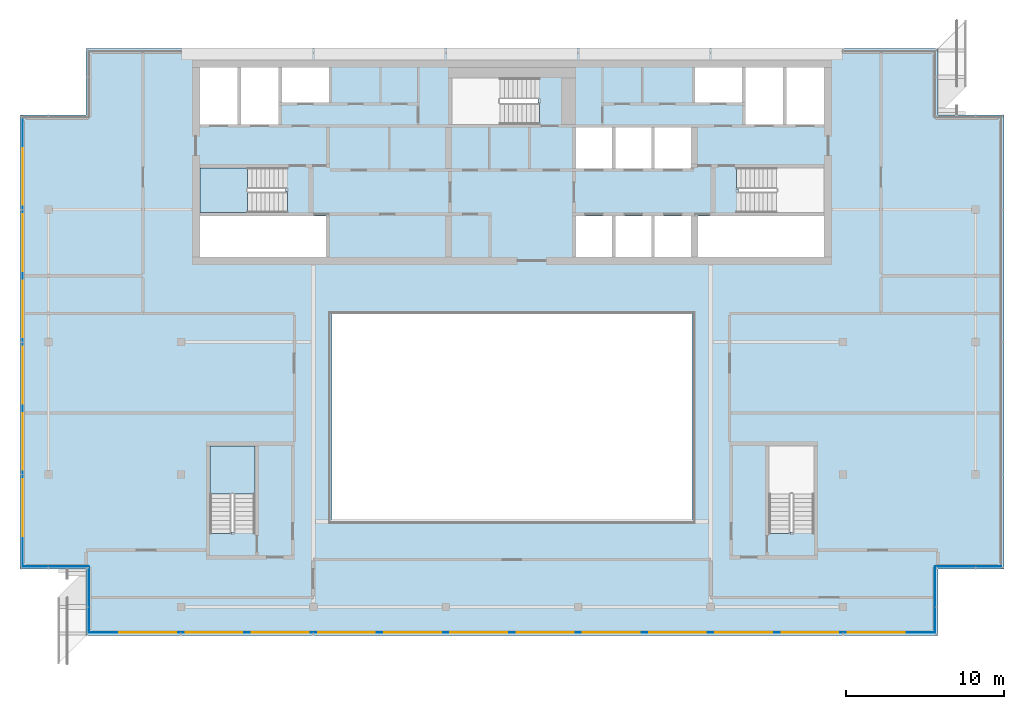
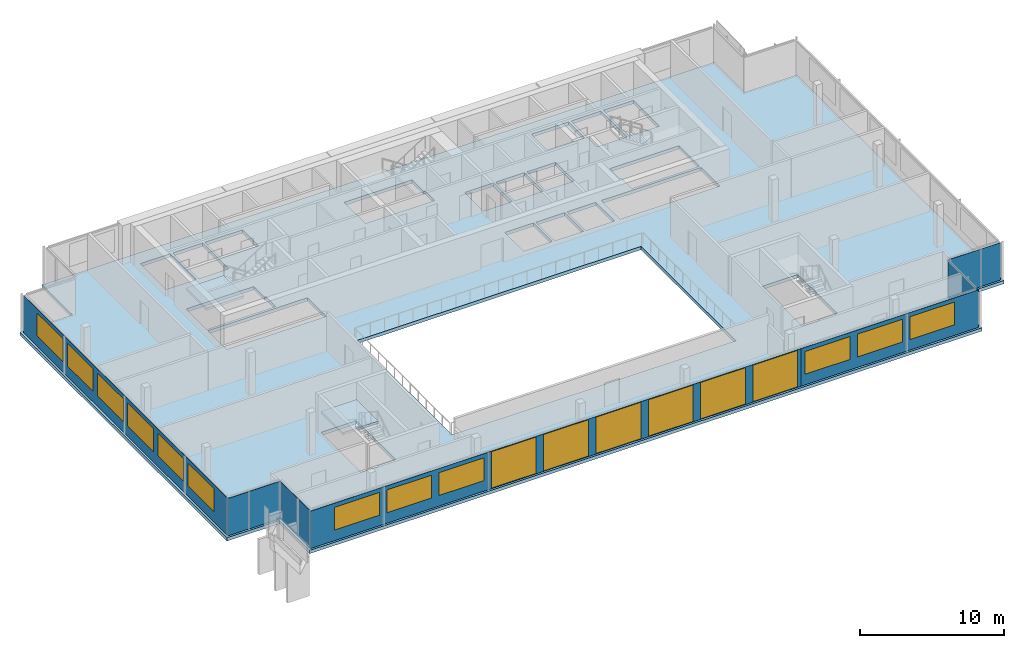
# One storey, part 10 of 19: 18 windows, 8 plates, 3 slabs, 18 openings, 8 elements without a shape of their own.
"""IFC4 building model written with IfcOpenShell, lengths in metres."""

from ifc_helpers import new_model, si_unit, direction, frame, frame_2d, origin, place, context, subcontext, project, spatial, polyline, rectangle, outline, extrude, material, layer, layer_set, type_object, element, fill, aggregate, save


model = new_model("IFC4")

# Units and contexts
model_context = context("Model", 3, precision=1e-05, world=origin(), true_north=direction((0.0, 1.0)))
body_context = subcontext(model_context, "Body", "Model", "MODEL_VIEW")
ifc_project = project(units=[si_unit("LENGTHUNIT", "METRE"), si_unit("AREAUNIT", "SQUARE_METRE"), si_unit("VOLUMEUNIT", "CUBIC_METRE"), si_unit("PLANEANGLEUNIT", "RADIAN"), si_unit("MASSUNIT", "GRAM", prefix="KILO")], contexts=[model_context])

# Site, building, storey
site_placement = place(None, origin())
site = spatial("IfcSite", under=ifc_project, at=site_placement, CompositionType="ELEMENT")
building_placement = place(site_placement, origin())
building = spatial("IfcBuilding", under=site, at=building_placement, Name="Saffron Gate Tower", CompositionType="ELEMENT")
storey_placement = place(building_placement, frame((0.0, 0.0, 306.75)))
storey = spatial("IfcBuildingStorey", under=building, at=storey_placement, Name="L75", CompositionType="ELEMENT", Elevation=306.75)

# Curtain wall, plates, openings, windows
ifc_material_1 = material(Name="Aluminium, bronze anodised", Category="aluminium")
curtain_wall_type_1 = type_object("IfcCurtainWallType", Name="CWS1 curtain wall front facade", PredefinedType="NOTDEFINED", material=ifc_material_1)
curtain_wall_1_placement = place(storey_placement, origin())
curtain_wall_1 = element("IfcCurtainWall", 1, at=curtain_wall_1_placement, inside=storey, type_object=curtain_wall_type_1, Name="CWS1 run 1", PredefinedType="NOTDEFINED")
ifc_material_2 = material(Name="Clear low-iron laminated glass", Category="glass")
ifc_layer_1 = layer(ifc_material_2, 0.028076171875)
ifc_layer_set_1 = layer_set([ifc_layer_1], Name="CWS1 clear glass")
plate_type_1 = type_object("IfcPlateType", Name="CWS1 clear glass", PredefinedType="CURTAIN_PANEL", material=ifc_layer_set_1)
plate_1_placement = place(storey_placement, frame((75.030029296875, 38.573974609375, 0.0), z_axis=(0.0, 0.0, 1.0), x_axis=(1.0, 0.0, 0.0)))
plate_1 = element("IfcPlate", 2, at=plate_1_placement, type_object=plate_type_1, Name="CWS1 clear glass panel", PredefinedType="CURTAIN_PANEL", context=body_context, shape_type="SweptSolid", body=[
    extrude(rectangle(XDim=25.139892578125, YDim=0.028076171875, at=frame_2d((12.56982421875, 0.0))), origin(), (0.0, 0.0, 1.0), 3.179931640625),
])
opening_1_placement = place(plate_1_placement, frame((0.27001953125, 0.0, 0.050048828125)))
opening_1 = element("IfcOpeningElement", 3, at=opening_1_placement, cuts=plate_1, Name="Opening WA", PredefinedType="OPENING", context=body_context, shape_type="SweptSolid", body=[
    extrude(rectangle(XDim=3.60009765625, YDim=3.080078125, at=frame_2d((1.800048828125, 1.5400390625))), frame((0.0, 0.02392578125, 0.0), z_axis=(0.0, -1.0, 0.0), x_axis=(1.0, 0.0, 0.0)), (0.0, 0.0, 1.0), 0.048095703125),
])
opening_2_placement = place(plate_1_placement, frame((4.469970703125, 0.0, 0.050048828125)))
opening_2 = element("IfcOpeningElement", 4, at=opening_2_placement, cuts=plate_1, Name="Opening WA", PredefinedType="OPENING", context=body_context, shape_type="SweptSolid", body=[
    extrude(rectangle(XDim=3.60009765625, YDim=3.080078125, at=frame_2d((1.800048828125, 1.5400390625))), frame((0.0, 0.02392578125, 0.0), z_axis=(0.0, -1.0, 0.0), x_axis=(1.0, 0.0, 0.0)), (0.0, 0.0, 1.0), 0.048095703125),
])
opening_3_placement = place(plate_1_placement, frame((8.669921875, 0.0, 0.050048828125)))
opening_3 = element("IfcOpeningElement", 5, at=opening_3_placement, cuts=plate_1, Name="Opening WA", PredefinedType="OPENING", context=body_context, shape_type="SweptSolid", body=[
    extrude(rectangle(XDim=3.60009765625, YDim=3.080078125, at=frame_2d((1.800048828125, 1.5400390625))), frame((0.0, 0.02392578125, 0.0), z_axis=(0.0, -1.0, 0.0), x_axis=(1.0, 0.0, 0.0)), (0.0, 0.0, 1.0), 0.048095703125),
])
opening_4_placement = place(plate_1_placement, frame((12.8701171875, 0.0, 0.050048828125)))
opening_4 = element("IfcOpeningElement", 6, at=opening_4_placement, cuts=plate_1, Name="Opening WA", PredefinedType="OPENING", context=body_context, shape_type="SweptSolid", body=[
    extrude(rectangle(XDim=3.60009765625, YDim=3.080078125, at=frame_2d((1.800048828125, 1.5400390625))), frame((0.0, 0.02392578125, 0.0), z_axis=(0.0, -1.0, 0.0), x_axis=(1.0, 0.0, 0.0)), (0.0, 0.0, 1.0), 0.048095703125),
])
opening_5_placement = place(plate_1_placement, frame((17.070068359375, 0.0, 0.050048828125)))
opening_5 = element("IfcOpeningElement", 7, at=opening_5_placement, cuts=plate_1, Name="Opening WA", PredefinedType="OPENING", context=body_context, shape_type="SweptSolid", body=[
    extrude(rectangle(XDim=3.60009765625, YDim=3.080078125, at=frame_2d((1.800048828125, 1.5400390625))), frame((0.0, 0.02392578125, 0.0), z_axis=(0.0, -1.0, 0.0), x_axis=(1.0, 0.0, 0.0)), (0.0, 0.0, 1.0), 0.048095703125),
])
opening_6_placement = place(plate_1_placement, frame((21.27001953125, 0.0, 0.050048828125)))
opening_6 = element("IfcOpeningElement", 8, at=opening_6_placement, cuts=plate_1, Name="Opening WA", PredefinedType="OPENING", context=body_context, shape_type="SweptSolid", body=[
    extrude(rectangle(XDim=3.60009765625, YDim=3.080078125, at=frame_2d((1.800048828125, 1.5400390625))), frame((0.0, 0.02392578125, 0.0), z_axis=(0.0, -1.0, 0.0), x_axis=(1.0, 0.0, 0.0)), (0.0, 0.0, 1.0), 0.048095703125),
])
ifc_material_3 = material(Name="Clear low-iron laminated glass in bronze frame", Category="glass")
ifc_layer_2 = layer(ifc_material_3, 0.06005859375)
ifc_layer_set_2 = layer_set([ifc_layer_2], Name="WA operable atrium unit 3600x3080")
window_type_1 = type_object("IfcWindowType", Name="WA operable atrium unit 3600x3080", PartitioningType="DOUBLE_PANEL_HORIZONTAL", PredefinedType="WINDOW", material=ifc_layer_set_2)
window_1_placement = place(opening_1_placement, origin())
window_1 = element("IfcWindow", 9, at=window_1_placement, type_object=window_type_1, Name="WA operable atrium unit", OverallHeight=3.080078125, OverallWidth=3.60009765625, PartitioningType="SINGLE_PANEL", PredefinedType="WINDOW", context=body_context, shape_type="SweptSolid", body=[
    extrude(rectangle(XDim=3.60009765625, YDim=3.080078125, at=frame_2d((1.800048828125, 1.5400390625))), frame((0.0, 0.013671875, 0.0), z_axis=(0.0, -1.0, 0.0), x_axis=(1.0, 0.0, 0.0)), (0.0, 0.0, 1.0), 0.027587890625),
])
fill(opening_1, window_1)
window_2_placement = place(opening_2_placement, origin())
window_2 = element("IfcWindow", 10, at=window_2_placement, type_object=window_type_1, Name="WA operable atrium unit", OverallHeight=3.080078125, OverallWidth=3.60009765625, PartitioningType="SINGLE_PANEL", PredefinedType="WINDOW", context=body_context, shape_type="SweptSolid", body=[
    extrude(rectangle(XDim=3.60009765625, YDim=3.080078125, at=frame_2d((1.800048828125, 1.5400390625))), frame((0.0, 0.013671875, 0.0), z_axis=(0.0, -1.0, 0.0), x_axis=(1.0, 0.0, 0.0)), (0.0, 0.0, 1.0), 0.027587890625),
])
fill(opening_2, window_2)
window_3_placement = place(opening_3_placement, origin())
window_3 = element("IfcWindow", 11, at=window_3_placement, type_object=window_type_1, Name="WA operable atrium unit", OverallHeight=3.080078125, OverallWidth=3.60009765625, PartitioningType="SINGLE_PANEL", PredefinedType="WINDOW", context=body_context, shape_type="SweptSolid", body=[
    extrude(rectangle(XDim=3.60009765625, YDim=3.080078125, at=frame_2d((1.800048828125, 1.5400390625))), frame((0.0, 0.013671875, 0.0), z_axis=(0.0, -1.0, 0.0), x_axis=(1.0, 0.0, 0.0)), (0.0, 0.0, 1.0), 0.027587890625),
])
fill(opening_3, window_3)
window_4_placement = place(opening_4_placement, origin())
window_4 = element("IfcWindow", 12, at=window_4_placement, type_object=window_type_1, Name="WA operable atrium unit", OverallHeight=3.080078125, OverallWidth=3.60009765625, PartitioningType="SINGLE_PANEL", PredefinedType="WINDOW", context=body_context, shape_type="SweptSolid", body=[
    extrude(rectangle(XDim=3.60009765625, YDim=3.080078125, at=frame_2d((1.800048828125, 1.5400390625))), frame((0.0, 0.013671875, 0.0), z_axis=(0.0, -1.0, 0.0), x_axis=(1.0, 0.0, 0.0)), (0.0, 0.0, 1.0), 0.027587890625),
])
fill(opening_4, window_4)
window_5_placement = place(opening_5_placement, origin())
window_5 = element("IfcWindow", 13, at=window_5_placement, type_object=window_type_1, Name="WA operable atrium unit", OverallHeight=3.080078125, OverallWidth=3.60009765625, PartitioningType="SINGLE_PANEL", PredefinedType="WINDOW", context=body_context, shape_type="SweptSolid", body=[
    extrude(rectangle(XDim=3.60009765625, YDim=3.080078125, at=frame_2d((1.800048828125, 1.5400390625))), frame((0.0, 0.013671875, 0.0), z_axis=(0.0, -1.0, 0.0), x_axis=(1.0, 0.0, 0.0)), (0.0, 0.0, 1.0), 0.027587890625),
])
fill(opening_5, window_5)
window_6_placement = place(opening_6_placement, origin())
window_6 = element("IfcWindow", 14, at=window_6_placement, type_object=window_type_1, Name="WA operable atrium unit", OverallHeight=3.080078125, OverallWidth=3.60009765625, PartitioningType="SINGLE_PANEL", PredefinedType="WINDOW", context=body_context, shape_type="SweptSolid", body=[
    extrude(rectangle(XDim=3.60009765625, YDim=3.080078125, at=frame_2d((1.800048828125, 1.5400390625))), frame((0.0, 0.013671875, 0.0), z_axis=(0.0, -1.0, 0.0), x_axis=(1.0, 0.0, 0.0)), (0.0, 0.0, 1.0), 0.027587890625),
])
fill(opening_6, window_6)
ifc_material_4 = material(Name="Fritted bronze-tinted laminated glass", Category="glass")
ifc_layer_3 = layer(ifc_material_4, 0.028076171875)
ifc_layer_set_3 = layer_set([ifc_layer_3], Name="CWS1 fixed glass")
plate_type_2 = type_object("IfcPlateType", Name="CWS1 fixed glass", PredefinedType="CURTAIN_PANEL", material=ifc_layer_set_3)
plate_2_placement = place(storey_placement, frame((60.7880859375, 38.573974609375, 0.0), z_axis=(0.0, 0.0, 1.0), x_axis=(1.0, 0.0, 0.0)))
plate_2 = element("IfcPlate", 15, at=plate_2_placement, type_object=plate_type_2, Name="CWS1 glass panel", PredefinedType="CURTAIN_PANEL", context=body_context, shape_type="SweptSolid", body=[
    extrude(rectangle(XDim=14.241943359375, YDim=0.028076171875, at=frame_2d((7.12109375, 0.0))), origin(), (0.0, 0.0, 1.0), 3.179931640625),
])
opening_7_placement = place(plate_2_placement, frame((1.912109375, 0.0, 0.89990234375)))
opening_7 = element("IfcOpeningElement", 16, at=opening_7_placement, cuts=plate_2, Name="Opening W2", PredefinedType="OPENING", context=body_context, shape_type="SweptSolid", body=[
    extrude(rectangle(XDim=3.60009765625, YDim=1.929931640625, at=frame_2d((1.800048828125, 0.96484375))), frame((0.0, 0.02392578125, 0.0), z_axis=(0.0, -1.0, 0.0), x_axis=(1.0, 0.0, 0.0)), (0.0, 0.0, 1.0), 0.048095703125),
])
opening_8_placement = place(plate_2_placement, frame((6.112060546875, 0.0, 0.89990234375)))
opening_8 = element("IfcOpeningElement", 17, at=opening_8_placement, cuts=plate_2, Name="Opening W2", PredefinedType="OPENING", context=body_context, shape_type="SweptSolid", body=[
    extrude(rectangle(XDim=3.60009765625, YDim=1.929931640625, at=frame_2d((1.800048828125, 0.96484375))), frame((0.0, 0.02392578125, 0.0), z_axis=(0.0, -1.0, 0.0), x_axis=(1.0, 0.0, 0.0)), (0.0, 0.0, 1.0), 0.048095703125),
])
opening_9_placement = place(plate_2_placement, frame((10.31201171875, 0.0, 0.89990234375)))
opening_9 = element("IfcOpeningElement", 18, at=opening_9_placement, cuts=plate_2, Name="Opening W2", PredefinedType="OPENING", context=body_context, shape_type="SweptSolid", body=[
    extrude(rectangle(XDim=3.60009765625, YDim=1.929931640625, at=frame_2d((1.800048828125, 0.96484375))), frame((0.0, 0.02392578125, 0.0), z_axis=(0.0, -1.0, 0.0), x_axis=(1.0, 0.0, 0.0)), (0.0, 0.0, 1.0), 0.048095703125),
])
ifc_material_5 = material(Name="Fritted bronze-tinted laminated glass in bronze frame", Category="glass")
ifc_layer_4 = layer(ifc_material_5, 0.06005859375)
ifc_layer_set_4 = layer_set([ifc_layer_4], Name="W2 operable panel 3600x1930")
window_type_2 = type_object("IfcWindowType", Name="W2 operable panel 3600x1930", PartitioningType="DOUBLE_PANEL_HORIZONTAL", PredefinedType="WINDOW", material=ifc_layer_set_4)
window_7_placement = place(opening_7_placement, origin())
window_7 = element("IfcWindow", 19, at=window_7_placement, type_object=window_type_2, Name="W2 operable panel", OverallHeight=1.929931640625, OverallWidth=3.60009765625, PartitioningType="SINGLE_PANEL", PredefinedType="WINDOW", context=body_context, shape_type="SweptSolid", body=[
    extrude(rectangle(XDim=3.60009765625, YDim=1.929931640625, at=frame_2d((1.800048828125, 0.96484375))), frame((0.0, 0.013671875, 0.0), z_axis=(0.0, -1.0, 0.0), x_axis=(1.0, 0.0, 0.0)), (0.0, 0.0, 1.0), 0.027587890625),
])
fill(opening_7, window_7)
window_8_placement = place(opening_8_placement, origin())
window_8 = element("IfcWindow", 20, at=window_8_placement, type_object=window_type_2, Name="W2 operable panel", OverallHeight=1.929931640625, OverallWidth=3.60009765625, PartitioningType="SINGLE_PANEL", PredefinedType="WINDOW", context=body_context, shape_type="SweptSolid", body=[
    extrude(rectangle(XDim=3.60009765625, YDim=1.929931640625, at=frame_2d((1.800048828125, 0.96484375))), frame((0.0, 0.013671875, 0.0), z_axis=(0.0, -1.0, 0.0), x_axis=(1.0, 0.0, 0.0)), (0.0, 0.0, 1.0), 0.027587890625),
])
fill(opening_8, window_8)
window_9_placement = place(opening_9_placement, origin())
window_9 = element("IfcWindow", 21, at=window_9_placement, type_object=window_type_2, Name="W2 operable panel", OverallHeight=1.929931640625, OverallWidth=3.60009765625, PartitioningType="SINGLE_PANEL", PredefinedType="WINDOW", context=body_context, shape_type="SweptSolid", body=[
    extrude(rectangle(XDim=3.60009765625, YDim=1.929931640625, at=frame_2d((1.800048828125, 0.96484375))), frame((0.0, 0.013671875, 0.0), z_axis=(0.0, -1.0, 0.0), x_axis=(1.0, 0.0, 0.0)), (0.0, 0.0, 1.0), 0.027587890625),
])
fill(opening_9, window_9)
plate_3_placement = place(storey_placement, frame((100.169921875, 38.573974609375, 0.0), z_axis=(0.0, 0.0, 1.0), x_axis=(1.0, 0.0, 0.0)))
plate_3 = element("IfcPlate", 22, at=plate_3_placement, type_object=plate_type_2, Name="CWS1 glass panel", PredefinedType="CURTAIN_PANEL", context=body_context, shape_type="SweptSolid", body=[
    extrude(rectangle(XDim=14.2421875, YDim=0.028076171875, at=frame_2d((7.12109375, 0.0))), origin(), (0.0, 0.0, 1.0), 3.179931640625),
])
opening_10_placement = place(plate_3_placement, frame((0.330078125, 0.0, 0.89990234375)))
opening_10 = element("IfcOpeningElement", 23, at=opening_10_placement, cuts=plate_3, Name="Opening W2", PredefinedType="OPENING", context=body_context, shape_type="SweptSolid", body=[
    extrude(rectangle(XDim=3.60009765625, YDim=1.929931640625, at=frame_2d((1.800048828125, 0.96484375))), frame((0.0, 0.02392578125, 0.0), z_axis=(0.0, -1.0, 0.0), x_axis=(1.0, 0.0, 0.0)), (0.0, 0.0, 1.0), 0.048095703125),
])
opening_11_placement = place(plate_3_placement, frame((4.530029296875, 0.0, 0.89990234375)))
opening_11 = element("IfcOpeningElement", 24, at=opening_11_placement, cuts=plate_3, Name="Opening W2", PredefinedType="OPENING", context=body_context, shape_type="SweptSolid", body=[
    extrude(rectangle(XDim=3.60009765625, YDim=1.929931640625, at=frame_2d((1.800048828125, 0.96484375))), frame((0.0, 0.02392578125, 0.0), z_axis=(0.0, -1.0, 0.0), x_axis=(1.0, 0.0, 0.0)), (0.0, 0.0, 1.0), 0.048095703125),
])
opening_12_placement = place(plate_3_placement, frame((8.72998046875, 0.0, 0.89990234375)))
opening_12 = element("IfcOpeningElement", 25, at=opening_12_placement, cuts=plate_3, Name="Opening W2", PredefinedType="OPENING", context=body_context, shape_type="SweptSolid", body=[
    extrude(rectangle(XDim=3.60009765625, YDim=1.929931640625, at=frame_2d((1.800048828125, 0.96484375))), frame((0.0, 0.02392578125, 0.0), z_axis=(0.0, -1.0, 0.0), x_axis=(1.0, 0.0, 0.0)), (0.0, 0.0, 1.0), 0.048095703125),
])
window_10_placement = place(opening_10_placement, origin())
window_10 = element("IfcWindow", 26, at=window_10_placement, type_object=window_type_2, Name="W2 operable panel", OverallHeight=1.929931640625, OverallWidth=3.60009765625, PartitioningType="SINGLE_PANEL", PredefinedType="WINDOW", context=body_context, shape_type="SweptSolid", body=[
    extrude(rectangle(XDim=3.60009765625, YDim=1.929931640625, at=frame_2d((1.800048828125, 0.96484375))), frame((0.0, 0.013671875, 0.0), z_axis=(0.0, -1.0, 0.0), x_axis=(1.0, 0.0, 0.0)), (0.0, 0.0, 1.0), 0.027587890625),
])
fill(opening_10, window_10)
window_11_placement = place(opening_11_placement, origin())
window_11 = element("IfcWindow", 27, at=window_11_placement, type_object=window_type_2, Name="W2 operable panel", OverallHeight=1.929931640625, OverallWidth=3.60009765625, PartitioningType="SINGLE_PANEL", PredefinedType="WINDOW", context=body_context, shape_type="SweptSolid", body=[
    extrude(rectangle(XDim=3.60009765625, YDim=1.929931640625, at=frame_2d((1.800048828125, 0.96484375))), frame((0.0, 0.013671875, 0.0), z_axis=(0.0, -1.0, 0.0), x_axis=(1.0, 0.0, 0.0)), (0.0, 0.0, 1.0), 0.027587890625),
])
fill(opening_11, window_11)
window_12_placement = place(opening_12_placement, origin())
window_12 = element("IfcWindow", 28, at=window_12_placement, type_object=window_type_2, Name="W2 operable panel", OverallHeight=1.929931640625, OverallWidth=3.60009765625, PartitioningType="SINGLE_PANEL", PredefinedType="WINDOW", context=body_context, shape_type="SweptSolid", body=[
    extrude(rectangle(XDim=3.60009765625, YDim=1.929931640625, at=frame_2d((1.800048828125, 0.96484375))), frame((0.0, 0.013671875, 0.0), z_axis=(0.0, -1.0, 0.0), x_axis=(1.0, 0.0, 0.0)), (0.0, 0.0, 1.0), 0.027587890625),
])
fill(opening_12, window_12)
aggregate(curtain_wall_1, [plate_2, plate_3, plate_1, window_7, window_8, window_9, window_10, window_11, window_12, window_1, window_2, window_3, window_4, window_5, window_6])

# Curtain wall, plate, openings, windows
curtain_wall_type_2 = type_object("IfcCurtainWallType", Name="CWS2 curtain wall side facades", PredefinedType="NOTDEFINED", material=ifc_material_1)
curtain_wall_2_placement = place(storey_placement, origin())
curtain_wall_2 = element("IfcCurtainWall", 29, at=curtain_wall_2_placement, inside=storey, type_object=curtain_wall_type_2, Name="CWS2 run 10", PredefinedType="NOTDEFINED")
ifc_layer_5 = layer(ifc_material_4, 0.028076171875)
ifc_layer_set_5 = layer_set([ifc_layer_5], Name="CWS2 fixed glass")
plate_type_3 = type_object("IfcPlateType", Name="CWS2 fixed glass", PredefinedType="CURTAIN_PANEL", material=ifc_layer_set_5)
plate_4_placement = place(storey_placement, frame((56.573974609375, 71.2119140625, 0.0), z_axis=(0.0, 0.0, 1.0), x_axis=(0.0, -1.0, 0.0)))
plate_4 = element("IfcPlate", 30, at=plate_4_placement, type_object=plate_type_3, Name="CWS2 glass panel", PredefinedType="CURTAIN_PANEL", context=body_context, shape_type="SweptSolid", body=[
    extrude(rectangle(XDim=28.423828125, YDim=0.028076171875, at=frame_2d((14.2119140625, 0.0))), origin(), (0.0, 0.0, 1.0), 3.179931640625),
])
opening_13_placement = place(plate_4_placement, frame((1.912109375, 0.0, 0.89990234375)))
opening_13 = element("IfcOpeningElement", 31, at=opening_13_placement, cuts=plate_4, Name="Opening W2", PredefinedType="OPENING", context=body_context, shape_type="SweptSolid", body=[
    extrude(rectangle(XDim=3.60009765625, YDim=1.929931640625, at=frame_2d((1.800048828125, 0.96484375))), frame((0.0, 0.02392578125, 0.0), z_axis=(0.0, -1.0, 0.0), x_axis=(1.0, 0.0, 0.0)), (0.0, 0.0, 1.0), 0.048095703125),
])
opening_14_placement = place(plate_4_placement, frame((6.112060546875, 0.0, 0.89990234375)))
opening_14 = element("IfcOpeningElement", 32, at=opening_14_placement, cuts=plate_4, Name="Opening W2", PredefinedType="OPENING", context=body_context, shape_type="SweptSolid", body=[
    extrude(rectangle(XDim=3.60009765625, YDim=1.929931640625, at=frame_2d((1.800048828125, 0.96484375))), frame((0.0, 0.02392578125, 0.0), z_axis=(0.0, -1.0, 0.0), x_axis=(1.0, 0.0, 0.0)), (0.0, 0.0, 1.0), 0.048095703125),
])
opening_15_placement = place(plate_4_placement, frame((10.31201171875, 0.0, 0.89990234375)))
opening_15 = element("IfcOpeningElement", 33, at=opening_15_placement, cuts=plate_4, Name="Opening W2", PredefinedType="OPENING", context=body_context, shape_type="SweptSolid", body=[
    extrude(rectangle(XDim=3.60009765625, YDim=1.929931640625, at=frame_2d((1.800048828125, 0.96484375))), frame((0.0, 0.02392578125, 0.0), z_axis=(0.0, -1.0, 0.0), x_axis=(1.0, 0.0, 0.0)), (0.0, 0.0, 1.0), 0.048095703125),
])
opening_16_placement = place(plate_4_placement, frame((14.511962890625, 0.0, 0.89990234375)))
opening_16 = element("IfcOpeningElement", 34, at=opening_16_placement, cuts=plate_4, Name="Opening W2", PredefinedType="OPENING", context=body_context, shape_type="SweptSolid", body=[
    extrude(rectangle(XDim=3.60009765625, YDim=1.929931640625, at=frame_2d((1.800048828125, 0.96484375))), frame((0.0, 0.02392578125, 0.0), z_axis=(0.0, -1.0, 0.0), x_axis=(1.0, 0.0, 0.0)), (0.0, 0.0, 1.0), 0.048095703125),
])
opening_17_placement = place(plate_4_placement, frame((18.7119140625, 0.0, 0.89990234375)))
opening_17 = element("IfcOpeningElement", 35, at=opening_17_placement, cuts=plate_4, Name="Opening W2", PredefinedType="OPENING", context=body_context, shape_type="SweptSolid", body=[
    extrude(rectangle(XDim=3.60009765625, YDim=1.929931640625, at=frame_2d((1.800048828125, 0.96484375))), frame((0.0, 0.02392578125, 0.0), z_axis=(0.0, -1.0, 0.0), x_axis=(1.0, 0.0, 0.0)), (0.0, 0.0, 1.0), 0.048095703125),
])
opening_18_placement = place(plate_4_placement, frame((22.912109375, 0.0, 0.89990234375)))
opening_18 = element("IfcOpeningElement", 36, at=opening_18_placement, cuts=plate_4, Name="Opening W2", PredefinedType="OPENING", context=body_context, shape_type="SweptSolid", body=[
    extrude(rectangle(XDim=3.60009765625, YDim=1.929931640625, at=frame_2d((1.800048828125, 0.96484375))), frame((0.0, 0.02392578125, 0.0), z_axis=(0.0, -1.0, 0.0), x_axis=(1.0, 0.0, 0.0)), (0.0, 0.0, 1.0), 0.048095703125),
])
window_13_placement = place(opening_13_placement, origin())
window_13 = element("IfcWindow", 37, at=window_13_placement, type_object=window_type_2, Name="W2 operable panel", OverallHeight=1.929931640625, OverallWidth=3.60009765625, PartitioningType="SINGLE_PANEL", PredefinedType="WINDOW", context=body_context, shape_type="SweptSolid", body=[
    extrude(rectangle(XDim=3.60009765625, YDim=1.929931640625, at=frame_2d((1.800048828125, 0.96484375))), frame((0.0, 0.013671875, 0.0), z_axis=(0.0, -1.0, 0.0), x_axis=(1.0, 0.0, 0.0)), (0.0, 0.0, 1.0), 0.027587890625),
])
fill(opening_13, window_13)
window_14_placement = place(opening_14_placement, origin())
window_14 = element("IfcWindow", 38, at=window_14_placement, type_object=window_type_2, Name="W2 operable panel", OverallHeight=1.929931640625, OverallWidth=3.60009765625, PartitioningType="SINGLE_PANEL", PredefinedType="WINDOW", context=body_context, shape_type="SweptSolid", body=[
    extrude(rectangle(XDim=3.60009765625, YDim=1.929931640625, at=frame_2d((1.800048828125, 0.96484375))), frame((0.0, 0.013671875, 0.0), z_axis=(0.0, -1.0, 0.0), x_axis=(1.0, 0.0, 0.0)), (0.0, 0.0, 1.0), 0.027587890625),
])
fill(opening_14, window_14)
window_15_placement = place(opening_15_placement, origin())
window_15 = element("IfcWindow", 39, at=window_15_placement, type_object=window_type_2, Name="W2 operable panel", OverallHeight=1.929931640625, OverallWidth=3.60009765625, PartitioningType="SINGLE_PANEL", PredefinedType="WINDOW", context=body_context, shape_type="SweptSolid", body=[
    extrude(rectangle(XDim=3.60009765625, YDim=1.929931640625, at=frame_2d((1.800048828125, 0.96484375))), frame((0.0, 0.013671875, 0.0), z_axis=(0.0, -1.0, 0.0), x_axis=(1.0, 0.0, 0.0)), (0.0, 0.0, 1.0), 0.027587890625),
])
fill(opening_15, window_15)
window_16_placement = place(opening_16_placement, origin())
window_16 = element("IfcWindow", 40, at=window_16_placement, type_object=window_type_2, Name="W2 operable panel", OverallHeight=1.929931640625, OverallWidth=3.60009765625, PartitioningType="SINGLE_PANEL", PredefinedType="WINDOW", context=body_context, shape_type="SweptSolid", body=[
    extrude(rectangle(XDim=3.60009765625, YDim=1.929931640625, at=frame_2d((1.800048828125, 0.96484375))), frame((0.0, 0.013671875, 0.0), z_axis=(0.0, -1.0, 0.0), x_axis=(1.0, 0.0, 0.0)), (0.0, 0.0, 1.0), 0.027587890625),
])
fill(opening_16, window_16)
window_17_placement = place(opening_17_placement, origin())
window_17 = element("IfcWindow", 41, at=window_17_placement, type_object=window_type_2, Name="W2 operable panel", OverallHeight=1.929931640625, OverallWidth=3.60009765625, PartitioningType="SINGLE_PANEL", PredefinedType="WINDOW", context=body_context, shape_type="SweptSolid", body=[
    extrude(rectangle(XDim=3.60009765625, YDim=1.929931640625, at=frame_2d((1.800048828125, 0.96484375))), frame((0.0, 0.013671875, 0.0), z_axis=(0.0, -1.0, 0.0), x_axis=(1.0, 0.0, 0.0)), (0.0, 0.0, 1.0), 0.027587890625),
])
fill(opening_17, window_17)
window_18_placement = place(opening_18_placement, origin())
window_18 = element("IfcWindow", 42, at=window_18_placement, type_object=window_type_2, Name="W2 operable panel", OverallHeight=1.929931640625, OverallWidth=3.60009765625, PartitioningType="SINGLE_PANEL", PredefinedType="WINDOW", context=body_context, shape_type="SweptSolid", body=[
    extrude(rectangle(XDim=3.60009765625, YDim=1.929931640625, at=frame_2d((1.800048828125, 0.96484375))), frame((0.0, 0.013671875, 0.0), z_axis=(0.0, -1.0, 0.0), x_axis=(1.0, 0.0, 0.0)), (0.0, 0.0, 1.0), 0.027587890625),
])
fill(opening_18, window_18)
aggregate(curtain_wall_2, [plate_4, window_13, window_14, window_15, window_16, window_17, window_18])

# Curtain wall, plate
curtain_wall_type_3 = type_object("IfcCurtainWallType", Name="CWS4 curtain wall corner returns", PredefinedType="NOTDEFINED", material=ifc_material_1)
curtain_wall_3_placement = place(storey_placement, origin())
curtain_wall_3 = element("IfcCurtainWall", 43, at=curtain_wall_3_placement, inside=storey, type_object=curtain_wall_type_3, Name="CWS4 run 2", PredefinedType="NOTDEFINED")
ifc_layer_6 = layer(ifc_material_4, 0.028076171875)
ifc_layer_set_6 = layer_set([ifc_layer_6], Name="CWS4 fixed glass")
plate_type_4 = type_object("IfcPlateType", Name="CWS4 fixed glass", PredefinedType="CURTAIN_PANEL", material=ifc_layer_set_6)
plate_5_placement = place(storey_placement, frame((114.426025390625, 38.587890625, 0.0), z_axis=(0.0, 0.0, 1.0), x_axis=(0.0, 1.0, 0.0)))
plate_5 = element("IfcPlate", 44, at=plate_5_placement, type_object=plate_type_4, Name="CWS4 glass panel", PredefinedType="CURTAIN_PANEL", context=body_context, shape_type="SweptSolid", body=[
    extrude(rectangle(XDim=4.172119140625, YDim=0.028076171875, at=frame_2d((2.0859375, 0.0))), origin(), (0.0, 0.0, 1.0), 3.179931640625),
])
aggregate(curtain_wall_3, [plate_5])

curtain_wall_4_placement = place(storey_placement, origin())
curtain_wall_4 = element("IfcCurtainWall", 45, at=curtain_wall_4_placement, inside=storey, type_object=curtain_wall_type_3, Name="CWS4 run 3", PredefinedType="NOTDEFINED")
plate_6_placement = place(storey_placement, frame((114.43994140625, 42.77392578125, 0.0), z_axis=(0.0, 0.0, 1.0), x_axis=(1.0, 0.0, 0.0)))
plate_6 = element("IfcPlate", 46, at=plate_6_placement, type_object=plate_type_4, Name="CWS4 glass panel", PredefinedType="CURTAIN_PANEL", context=body_context, shape_type="SweptSolid", body=[
    extrude(rectangle(XDim=4.172119140625, YDim=0.028076171875, at=frame_2d((2.0859375, 0.0))), origin(), (0.0, 0.0, 1.0), 3.179931640625),
])
aggregate(curtain_wall_4, [plate_6])

curtain_wall_5_placement = place(storey_placement, origin())
curtain_wall_5 = element("IfcCurtainWall", 47, at=curtain_wall_5_placement, inside=storey, type_object=curtain_wall_type_3, Name="CWS4 run 11", PredefinedType="NOTDEFINED")
plate_7_placement = place(storey_placement, frame((56.587890625, 42.77392578125, 0.0), z_axis=(0.0, 0.0, 1.0), x_axis=(1.0, 0.0, 0.0)))
plate_7 = element("IfcPlate", 48, at=plate_7_placement, type_object=plate_type_4, Name="CWS4 glass panel", PredefinedType="CURTAIN_PANEL", context=body_context, shape_type="SweptSolid", body=[
    extrude(rectangle(XDim=4.172119140625, YDim=0.028076171875, at=frame_2d((2.0859375, 0.0))), origin(), (0.0, 0.0, 1.0), 3.179931640625),
])
aggregate(curtain_wall_5, [plate_7])

curtain_wall_6_placement = place(storey_placement, origin())
curtain_wall_6 = element("IfcCurtainWall", 49, at=curtain_wall_6_placement, inside=storey, type_object=curtain_wall_type_3, Name="CWS4 run 12", PredefinedType="NOTDEFINED")
plate_8_placement = place(storey_placement, frame((60.77392578125, 42.760009765625, 0.0), z_axis=(0.0, 0.0, 1.0), x_axis=(0.0, -1.0, 0.0)))
plate_8 = element("IfcPlate", 50, at=plate_8_placement, type_object=plate_type_4, Name="CWS4 glass panel", PredefinedType="CURTAIN_PANEL", context=body_context, shape_type="SweptSolid", body=[
    extrude(rectangle(XDim=4.172119140625, YDim=0.028076171875, at=frame_2d((2.0859375, 0.0))), origin(), (0.0, 0.0, 1.0), 3.179931640625),
])
aggregate(curtain_wall_6, [plate_8])

# Slab
ifc_material_6 = material(Name="Concrete C40", Category="concrete")
ifc_layer_7 = layer(ifc_material_6, 0.280029296875)
ifc_layer_set_7 = layer_set([ifc_layer_7], Name="S2 FLOOR SLAB 280 CONCRETE C40")
slab_type_1 = type_object("IfcSlabType", Name="S2 FLOOR SLAB 280 CONCRETE C40", PredefinedType="FLOOR", material=ifc_layer_set_7)
slab_1_placement = place(storey_placement, frame((0.0, 0.0, -0.280029296875)))
element("IfcSlab", 51, at=slab_1_placement, inside=storey, type_object=slab_type_1, Name="S2 FLOOR SLAB", PredefinedType="FLOOR", context=body_context, shape_type="SweptSolid", body=[
    extrude(outline(polyline([(56.39990234375, 42.60009765625), (60.60009765625, 42.60009765625), (60.60009765625, 38.39990234375), (114.60009765625, 38.39990234375), (114.60009765625, 42.60009765625), (118.800048828125, 42.60009765625), (118.800048828125, 71.39990234375), (114.60009765625, 71.39990234375), (114.60009765625, 75.60009765625), (60.60009765625, 75.60009765625), (60.60009765625, 71.39990234375), (56.39990234375, 71.39990234375), (56.39990234375, 42.60009765625)]), holes=[polyline([(67.800048828125, 62.39990234375), (67.800048828125, 65.0), (75.800048828125, 65.0), (75.800048828125, 62.39990234375), (67.800048828125, 62.39990234375)]), polyline([(67.800048828125, 65.199951171875), (67.800048828125, 68.050048828125), (73.25, 68.050048828125), (73.25, 66.550048828125), (73.34912109375, 66.550048828125), (73.34912109375, 65.199951171875), (67.800048828125, 65.199951171875)]), polyline([(67.800048828125, 70.800048828125), (67.800048828125, 74.39990234375), (70.199951171875, 74.39990234375), (70.199951171875, 70.800048828125), (67.800048828125, 70.800048828125)]), polyline([(68.449951171875, 44.85107421875), (68.449951171875, 50.39990234375), (71.300048828125, 50.39990234375), (71.300048828125, 44.949951171875), (69.800048828125, 44.949951171875), (69.800048828125, 44.85107421875), (68.449951171875, 44.85107421875)]), polyline([(70.39990234375, 70.800048828125), (70.39990234375, 74.39990234375), (72.800048828125, 74.39990234375), (72.800048828125, 70.800048828125), (70.39990234375, 70.800048828125)]), polyline([(73.0, 72.199951171875), (73.0, 74.39990234375), (76.0, 74.39990234375), (76.0, 72.199951171875), (73.0, 72.199951171875)]), polyline([(76.199951171875, 45.60009765625), (76.199951171875, 58.800048828125), (99.0, 58.800048828125), (99.0, 45.60009765625), (76.199951171875, 45.60009765625)]), polyline([(83.800048828125, 70.800048828125), (83.800048828125, 73.75), (89.25, 73.75), (89.25, 72.14990234375), (89.34912109375, 72.14990234375), (89.34912109375, 70.800048828125), (83.800048828125, 70.800048828125)]), polyline([(91.64990234375, 62.39990234375), (91.64990234375, 65.0), (93.949951171875, 65.0), (93.949951171875, 62.39990234375), (91.64990234375, 62.39990234375)]), polyline([(91.64990234375, 68.0), (91.64990234375, 70.60009765625), (93.949951171875, 70.60009765625), (93.949951171875, 68.0), (91.64990234375, 68.0)]), polyline([(94.14990234375, 62.39990234375), (94.14990234375, 65.0), (96.449951171875, 65.0), (96.449951171875, 62.39990234375), (94.14990234375, 62.39990234375)]), polyline([(94.14990234375, 68.0), (94.14990234375, 70.60009765625), (96.449951171875, 70.60009765625), (96.449951171875, 68.0), (94.14990234375, 68.0)]), polyline([(96.64990234375, 62.39990234375), (96.64990234375, 65.0), (98.949951171875, 65.0), (98.949951171875, 62.39990234375), (96.64990234375, 62.39990234375)]), polyline([(96.64990234375, 68.0), (96.64990234375, 70.60009765625), (98.949951171875, 70.60009765625), (98.949951171875, 68.0), (96.64990234375, 68.0)]), polyline([(99.199951171875, 72.199951171875), (99.199951171875, 74.39990234375), (102.199951171875, 74.39990234375), (102.199951171875, 72.199951171875), (99.199951171875, 72.199951171875)]), polyline([(99.39990234375, 62.39990234375), (99.39990234375, 65.0), (107.39990234375, 65.0), (107.39990234375, 62.39990234375), (99.39990234375, 62.39990234375)]), polyline([(101.85107421875, 66.699951171875), (101.85107421875, 68.050048828125), (107.39990234375, 68.050048828125), (107.39990234375, 65.199951171875), (101.949951171875, 65.199951171875), (101.949951171875, 66.699951171875), (101.85107421875, 66.699951171875)]), polyline([(102.39990234375, 70.800048828125), (102.39990234375, 74.39990234375), (104.800048828125, 74.39990234375), (104.800048828125, 70.800048828125), (102.39990234375, 70.800048828125)]), polyline([(103.89990234375, 44.85107421875), (103.89990234375, 50.39990234375), (106.75, 50.39990234375), (106.75, 44.949951171875), (105.25, 44.949951171875), (105.25, 44.85107421875), (103.89990234375, 44.85107421875)]), polyline([(105.0, 70.800048828125), (105.0, 74.39990234375), (107.39990234375, 74.39990234375), (107.39990234375, 70.800048828125), (105.0, 70.800048828125)])]), origin(), (0.0, 0.0, 1.0), 0.280029296875),
])

# Stair, slab
stair_type = type_object("IfcStairType", Name="ST7 Stair 1350 wide, 20 risers of 180", PredefinedType="HALF_TURN_STAIR", material=ifc_material_6)
stair_1_placement = place(storey_placement, origin())
stair_1 = element("IfcStair", 52, at=stair_1_placement, inside=storey, type_object=stair_type, Name="L75 Exit stair A", PredefinedType="HALF_TURN_STAIR")
ifc_layer_8 = layer(ifc_material_6, 0.199951171875)
ifc_layer_set_8 = layer_set([ifc_layer_8], Name="SL1 Stair landing 200")
slab_type_2 = type_object("IfcSlabType", Name="SL1 Stair landing 200", PredefinedType="LANDING", material=ifc_layer_set_8)
slab_2_placement = place(storey_placement, frame((0.0, 0.0, 1.60009765625)))
slab_2 = element("IfcSlab", 53, at=slab_2_placement, type_object=slab_type_2, Name="ST-A landing 1", PredefinedType="LANDING", context=body_context, shape_type="SweptSolid", body=[
    extrude(outline(polyline([(70.830078125, 68.050048828125), (67.800048828125, 68.050048828125), (67.800048828125, 65.199951171875), (70.830078125, 65.199951171875), (70.830078125, 68.050048828125)])), origin(), (0.0, 0.0, 1.0), 0.199951171875),
])
aggregate(stair_1, [slab_2])

stair_2_placement = place(storey_placement, origin())
stair_2 = element("IfcStair", 54, at=stair_2_placement, inside=storey, type_object=stair_type, Name="L75 Exit stair D", PredefinedType="HALF_TURN_STAIR")
slab_3_placement = place(storey_placement, frame((0.0, 0.0, 1.60009765625)))
slab_3 = element("IfcSlab", 55, at=slab_3_placement, type_object=slab_type_2, Name="ST-D landing 1", PredefinedType="LANDING", context=body_context, shape_type="SweptSolid", body=[
    extrude(outline(polyline([(71.300048828125, 47.3701171875), (71.300048828125, 50.39990234375), (68.449951171875, 50.39990234375), (68.449951171875, 47.3701171875), (71.300048828125, 47.3701171875)])), origin(), (0.0, 0.0, 1.0), 0.199951171875),
])
aggregate(stair_2, [slab_3])

save(model, "model.ifc")
